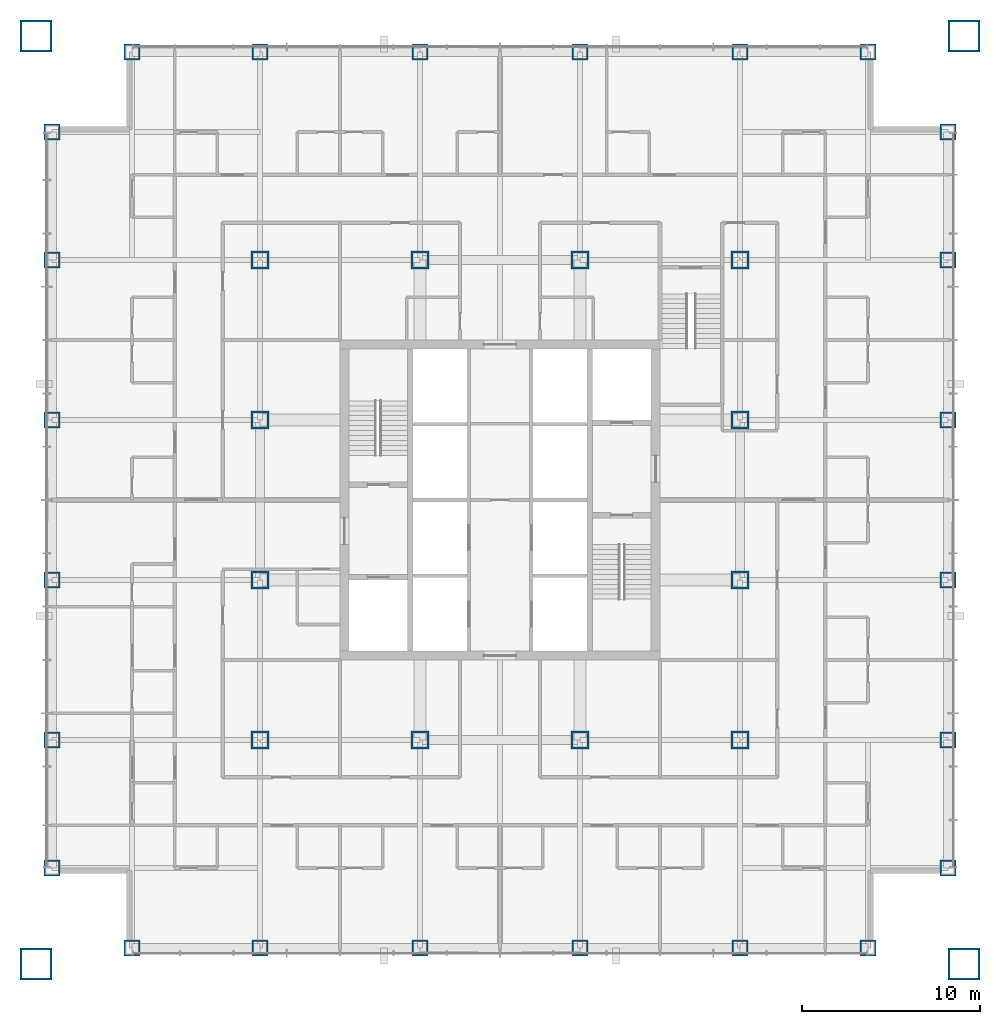
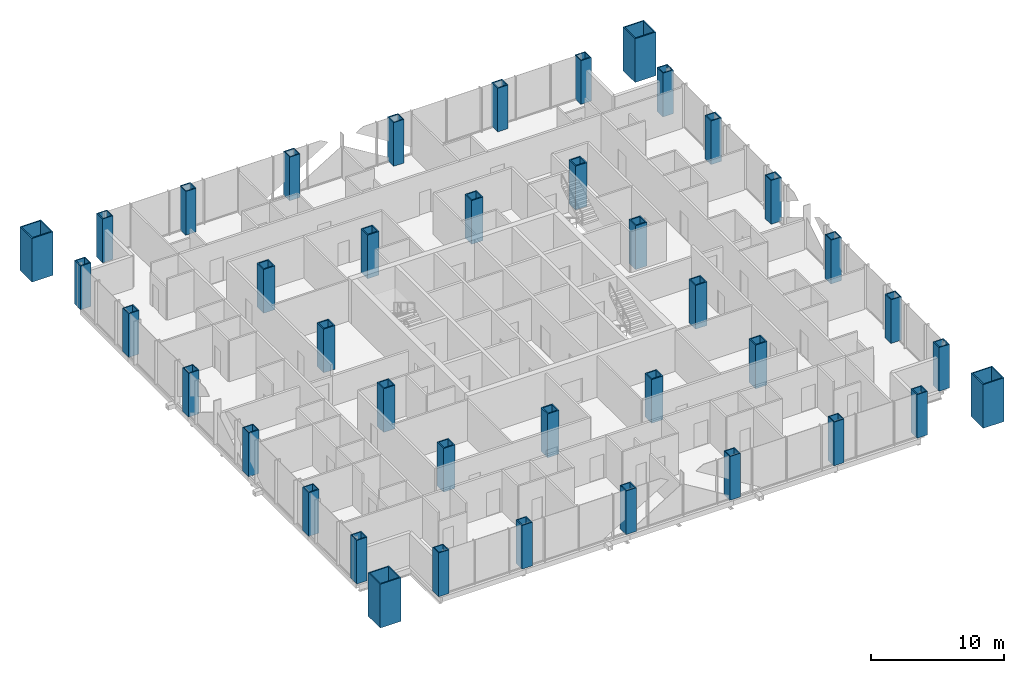
# One storey, part 1 of 13: 40 columns.
"""IFC4 building model written with IfcOpenShell, lengths in metres."""

from ifc_helpers import new_model, si_unit, direction, frame, origin, origin_2d, place, context, subcontext, project, spatial, hollow_rectangle, extrude, material, material_profile, profile_set, type_object, element, save


model = new_model("IFC4")

# Units and contexts
model_context = context("Model", 3, precision=1e-05, world=origin(), true_north=direction((0.0, 1.0)))
body_context = subcontext(model_context, "Body", "Model", "MODEL_VIEW")
ifc_project = project(units=[si_unit("LENGTHUNIT", "METRE"), si_unit("AREAUNIT", "SQUARE_METRE"), si_unit("VOLUMEUNIT", "CUBIC_METRE"), si_unit("PLANEANGLEUNIT", "RADIAN"), si_unit("MASSUNIT", "GRAM", prefix="KILO")], contexts=[model_context])

# Site, building, storey
site_placement = place(None, origin())
site = spatial("IfcSite", under=ifc_project, at=site_placement, CompositionType="ELEMENT")
building_placement = place(site_placement, origin())
building = spatial("IfcBuilding", under=site, at=building_placement, Name="Malebo Sky Hospital", CompositionType="ELEMENT")
storey_placement = place(building_placement, frame((0.0, 0.0, 43.0)))
storey = spatial("IfcBuildingStorey", under=building, at=storey_placement, Name="L09", CompositionType="ELEMENT", Elevation=43.0)

# Columns
ifc_material = material(Name="Steel S460", Category="steel")
ifc_material_profile_1 = material_profile(ifc_material, hollow_rectangle(XDim=1.0, YDim=1.0, WallThickness=0.10009765625, at=origin_2d()), Name="BOX 1000x1000x100")
ifc_profile_set_1 = profile_set([ifc_material_profile_1], Name="Steel S460")
column_type_1 = type_object("IfcColumnType", Name="INNER COLUMN BOX 1000x1000x100", PredefinedType="COLUMN", material=ifc_profile_set_1)
for number, where, z_axis, x_axis, name in (
    (1, (46.5, 48.5, 0.0), (0.0, 0.0, 1.0), (1.0, 0.0, 0.0), "Column IC9 L09"),
    (2, (73.5, 48.5, 0.0), (0.0, 0.0, 1.0), (1.0, 0.0, 0.0), "Column IC9 L09"),
    (3, (73.5, 75.5, 0.0), (0.0, 0.0, 1.0), (1.0, 0.0, 0.0), "Column IC9 L09"),
    (4, (46.5, 75.5, 0.0), (0.0, 0.0, 1.0), (1.0, 0.0, 0.0), "Column IC9 L09"),
    (5, (55.5, 48.5, 0.0), (0.0, 0.0, 1.0), (1.0, 0.0, 0.0), "Column IC9 L09"),
    (6, (64.5, 48.5, 0.0), (0.0, 0.0, 1.0), (1.0, 0.0, 0.0), "Column IC9 L09"),
    (7, (55.5, 75.5, 0.0), (0.0, 0.0, 1.0), (1.0, 0.0, 0.0), "Column IC9 L09"),
    (8, (64.5, 75.5, 0.0), (0.0, 0.0, 1.0), (1.0, 0.0, 0.0), "Column IC9 L09"),
    (9, (46.5, 57.5, 0.0), (0.0, 0.0, 1.0), (1.0, 0.0, 0.0), "Column IC9 L09"),
    (10, (46.5, 66.5, 0.0), (0.0, 0.0, 1.0), (1.0, 0.0, 0.0), "Column IC9 L09"),
    (11, (73.5, 57.5, 0.0), (0.0, 0.0, 1.0), (1.0, 0.0, 0.0), "Column IC9 L09"),
    (12, (73.5, 66.5, 0.0), (0.0, 0.0, 1.0), (1.0, 0.0, 0.0), "Column IC9 L09"),
):
    element("IfcColumn", number, at=place(storey_placement, frame(where, z_axis=z_axis, x_axis=x_axis)), inside=storey, type_object=column_type_1, Name=name, PredefinedType="COLUMN", context=body_context, shape_type="SweptSolid", body=[
        extrude(hollow_rectangle(XDim=1.0, YDim=1.0, WallThickness=0.10009765625, at=origin_2d()), origin(), (0.0, 0.0, 1.0), 4.0),
    ])
ifc_material_profile_2 = material_profile(ifc_material, hollow_rectangle(XDim=1.800048828125, YDim=1.800048828125, WallThickness=0.10009765625, at=origin_2d()), Name="BOX 1800x1800x100")
ifc_profile_set_2 = profile_set([ifc_material_profile_2], Name="Steel S460")
column_type_2 = type_object("IfcColumnType", Name="MEGA COLUMN BOX 1800x1800x100", PredefinedType="COLUMN", material=ifc_profile_set_2)
for number, where, z_axis, x_axis, name in (
    (13, (33.89990234375, 35.89990234375, 0.0), (0.0, 0.0, 1.0), (1.0, 0.0, 0.0), "Mega column SW L09"),
    (14, (86.10009765625, 35.89990234375, 0.0), (0.0, 0.0, 1.0), (1.0, 0.0, 0.0), "Mega column SE L09"),
    (15, (86.10009765625, 88.10009765625, 0.0), (0.0, 0.0, 1.0), (1.0, 0.0, 0.0), "Mega column NE L09"),
    (16, (33.89990234375, 88.10009765625, 0.0), (0.0, 0.0, 1.0), (1.0, 0.0, 0.0), "Mega column NW L09"),
):
    element("IfcColumn", number, at=place(storey_placement, frame(where, z_axis=z_axis, x_axis=x_axis)), inside=storey, type_object=column_type_2, Name=name, PredefinedType="COLUMN", context=body_context, shape_type="SweptSolid", body=[
        extrude(hollow_rectangle(XDim=1.800048828125, YDim=1.800048828125, WallThickness=0.10009765625, at=origin_2d()), origin(), (0.0, 0.0, 1.0), 4.0),
    ])
ifc_material_profile_3 = material_profile(ifc_material, hollow_rectangle(XDim=0.89990234375, YDim=0.89990234375, WallThickness=0.080078125, at=origin_2d()), Name="BOX 900x900x80")
ifc_profile_set_3 = profile_set([ifc_material_profile_3], Name="Steel S460")
column_type_3 = type_object("IfcColumnType", Name="PERIMETER COLUMN BOX 900x900x80", PredefinedType="COLUMN", material=ifc_profile_set_3)
for number, where, z_axis, x_axis, name in (
    (17, (39.300048828125, 36.800048828125, 0.0), (0.0, 0.0, 1.0), (1.0, 0.0, 0.0), "Column PC8 L09"),
    (18, (39.300048828125, 87.199951171875, 0.0), (0.0, 0.0, 1.0), (1.0, 0.0, 0.0), "Column PC8 L09"),
    (19, (34.800048828125, 41.300048828125, 0.0), (0.0, 0.0, 1.0), (1.0, 0.0, 0.0), "Column PC8 L09"),
    (20, (85.199951171875, 41.300048828125, 0.0), (0.0, 0.0, 1.0), (1.0, 0.0, 0.0), "Column PC8 L09"),
    (21, (46.5, 36.800048828125, 0.0), (0.0, 0.0, 1.0), (1.0, 0.0, 0.0), "Column PC8 L09"),
    (22, (46.5, 87.199951171875, 0.0), (0.0, 0.0, 1.0), (1.0, 0.0, 0.0), "Column PC8 L09"),
    (23, (34.800048828125, 48.5, 0.0), (0.0, 0.0, 1.0), (1.0, 0.0, 0.0), "Column PC8 L09"),
    (24, (85.199951171875, 48.5, 0.0), (0.0, 0.0, 1.0), (1.0, 0.0, 0.0), "Column PC8 L09"),
    (25, (55.5, 36.800048828125, 0.0), (0.0, 0.0, 1.0), (1.0, 0.0, 0.0), "Column PC8 L09"),
    (26, (55.5, 87.199951171875, 0.0), (0.0, 0.0, 1.0), (1.0, 0.0, 0.0), "Column PC8 L09"),
    (27, (34.800048828125, 57.5, 0.0), (0.0, 0.0, 1.0), (1.0, 0.0, 0.0), "Column PC8 L09"),
    (28, (85.199951171875, 57.5, 0.0), (0.0, 0.0, 1.0), (1.0, 0.0, 0.0), "Column PC8 L09"),
    (29, (64.5, 36.800048828125, 0.0), (0.0, 0.0, 1.0), (1.0, 0.0, 0.0), "Column PC8 L09"),
    (30, (64.5, 87.199951171875, 0.0), (0.0, 0.0, 1.0), (1.0, 0.0, 0.0), "Column PC8 L09"),
    (31, (34.800048828125, 66.5, 0.0), (0.0, 0.0, 1.0), (1.0, 0.0, 0.0), "Column PC8 L09"),
    (32, (85.199951171875, 66.5, 0.0), (0.0, 0.0, 1.0), (1.0, 0.0, 0.0), "Column PC8 L09"),
    (33, (73.5, 36.800048828125, 0.0), (0.0, 0.0, 1.0), (1.0, 0.0, 0.0), "Column PC8 L09"),
    (34, (73.5, 87.199951171875, 0.0), (0.0, 0.0, 1.0), (1.0, 0.0, 0.0), "Column PC8 L09"),
    (35, (34.800048828125, 75.5, 0.0), (0.0, 0.0, 1.0), (1.0, 0.0, 0.0), "Column PC8 L09"),
    (36, (85.199951171875, 75.5, 0.0), (0.0, 0.0, 1.0), (1.0, 0.0, 0.0), "Column PC8 L09"),
    (37, (80.699951171875, 36.800048828125, 0.0), (0.0, 0.0, 1.0), (1.0, 0.0, 0.0), "Column PC8 L09"),
    (38, (80.699951171875, 87.199951171875, 0.0), (0.0, 0.0, 1.0), (1.0, 0.0, 0.0), "Column PC8 L09"),
    (39, (34.800048828125, 82.699951171875, 0.0), (0.0, 0.0, 1.0), (1.0, 0.0, 0.0), "Column PC8 L09"),
    (40, (85.199951171875, 82.699951171875, 0.0), (0.0, 0.0, 1.0), (1.0, 0.0, 0.0), "Column PC8 L09"),
):
    element("IfcColumn", number, at=place(storey_placement, frame(where, z_axis=z_axis, x_axis=x_axis)), inside=storey, type_object=column_type_3, Name=name, PredefinedType="COLUMN", context=body_context, shape_type="SweptSolid", body=[
        extrude(hollow_rectangle(XDim=0.89990234375, YDim=0.89990234375, WallThickness=0.080078125, at=origin_2d()), origin(), (0.0, 0.0, 1.0), 4.0),
    ])

save(model, "model.ifc")
